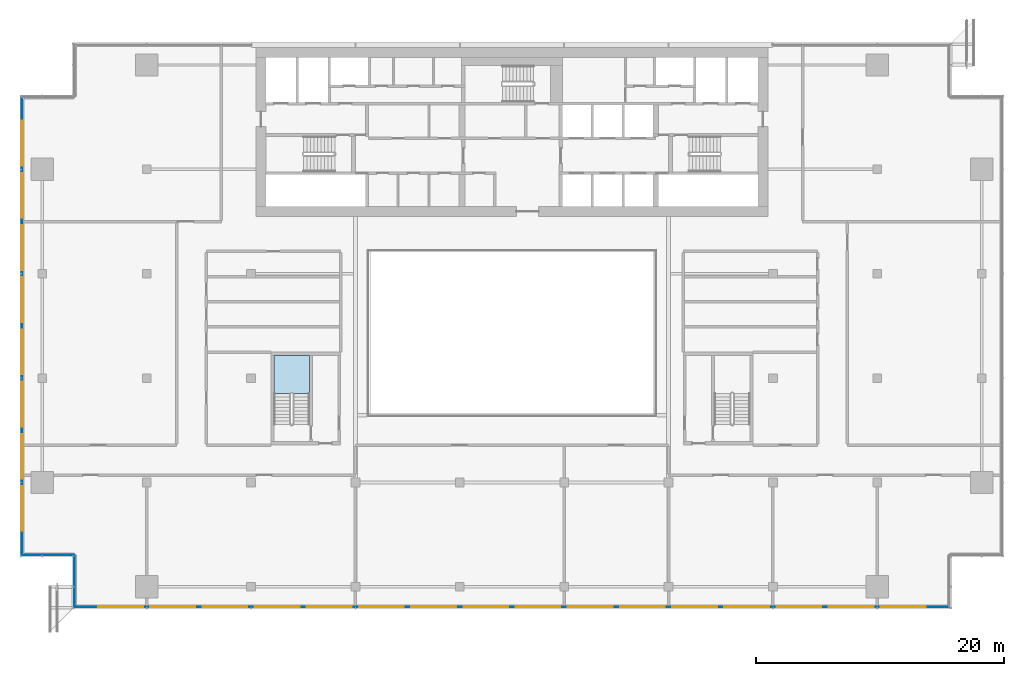
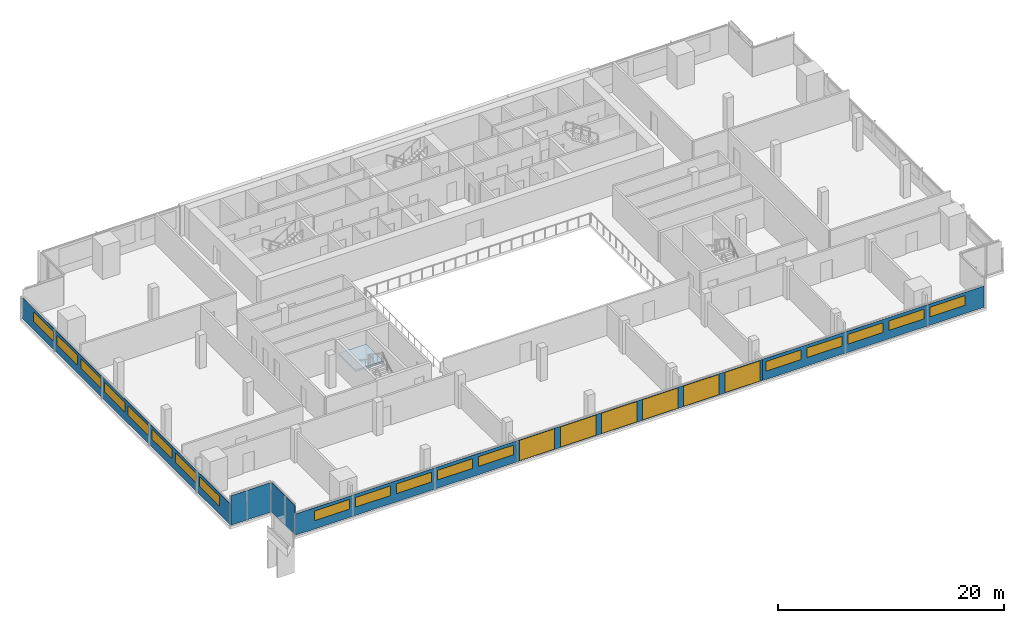
# One storey, part 15 of 24: 24 windows, 6 plates, 1 slab, 24 openings, 5 elements without a shape of their own.
"""IFC4 building model written with IfcOpenShell, lengths in metres."""

from ifc_helpers import new_model, si_unit, direction, frame, frame_2d, origin, place, context, subcontext, project, spatial, polyline, rectangle, outline, extrude, material, layer, layer_set, type_object, element, fill, aggregate, save


model = new_model("IFC4")

# Units and contexts
model_context = context("Model", 3, precision=1e-05, world=origin(), true_north=direction((0.0, 1.0)))
body_context = subcontext(model_context, "Body", "Model", "MODEL_VIEW")
ifc_project = project(units=[si_unit("LENGTHUNIT", "METRE"), si_unit("AREAUNIT", "SQUARE_METRE"), si_unit("VOLUMEUNIT", "CUBIC_METRE"), si_unit("PLANEANGLEUNIT", "RADIAN"), si_unit("MASSUNIT", "GRAM", prefix="KILO")], contexts=[model_context])

# Site, building, storey
site_placement = place(None, origin())
site = spatial("IfcSite", under=ifc_project, at=site_placement, CompositionType="ELEMENT")
building_placement = place(site_placement, origin())
building = spatial("IfcBuilding", under=site, at=building_placement, Name="Saffron Gate Tower", CompositionType="ELEMENT")
storey_placement = place(building_placement, frame((0.0, 0.0, 190.64990234375)))
storey = spatial("IfcBuildingStorey", under=building, at=storey_placement, Name="L47", CompositionType="ELEMENT", Elevation=190.64990234375)

# Curtain wall, plates, openings, windows
ifc_material_1 = material(Name="Aluminium, bronze anodised", Category="aluminium")
curtain_wall_type_1 = type_object("IfcCurtainWallType", Name="CWS1 curtain wall front facade", PredefinedType="NOTDEFINED", material=ifc_material_1)
curtain_wall_1_placement = place(storey_placement, origin())
curtain_wall_1 = element("IfcCurtainWall", 1, at=curtain_wall_1_placement, inside=storey, type_object=curtain_wall_type_1, Name="CWS1 run 1", PredefinedType="NOTDEFINED")
ifc_material_2 = material(Name="Clear low-iron laminated glass", Category="glass")
ifc_layer_1 = layer(ifc_material_2, 0.028076171875)
ifc_layer_set_1 = layer_set([ifc_layer_1], Name="CWS1 clear glass")
plate_type_1 = type_object("IfcPlateType", Name="CWS1 clear glass", PredefinedType="CURTAIN_PANEL", material=ifc_layer_set_1)
plate_1_placement = place(storey_placement, frame((75.030029296875, 30.174072265625, 0.0), z_axis=(0.0, 0.0, 1.0), x_axis=(1.0, 0.0, 0.0)))
plate_1 = element("IfcPlate", 2, at=plate_1_placement, type_object=plate_type_1, Name="CWS1 clear glass panel", PredefinedType="CURTAIN_PANEL", context=body_context, shape_type="SweptSolid", body=[
    extrude(rectangle(XDim=25.139892578125, YDim=0.028076171875, at=frame_2d((12.56982421875, 0.0))), origin(), (0.0, 0.0, 1.0), 2.2900390625),
])
opening_1_placement = place(plate_1_placement, frame((0.27001953125, 0.0, 0.050048828125)))
opening_1 = element("IfcOpeningElement", 3, at=opening_1_placement, cuts=plate_1, Name="Opening WA", PredefinedType="OPENING", context=body_context, shape_type="SweptSolid", body=[
    extrude(rectangle(XDim=3.60009765625, YDim=2.18994140625, at=frame_2d((1.800048828125, 1.094970703125))), frame((0.0, 0.02392578125, 0.0), z_axis=(0.0, -1.0, 0.0), x_axis=(1.0, 0.0, 0.0)), (0.0, 0.0, 1.0), 0.048095703125),
])
opening_2_placement = place(plate_1_placement, frame((4.469970703125, 0.0, 0.050048828125)))
opening_2 = element("IfcOpeningElement", 4, at=opening_2_placement, cuts=plate_1, Name="Opening WA", PredefinedType="OPENING", context=body_context, shape_type="SweptSolid", body=[
    extrude(rectangle(XDim=3.60009765625, YDim=2.18994140625, at=frame_2d((1.800048828125, 1.094970703125))), frame((0.0, 0.02392578125, 0.0), z_axis=(0.0, -1.0, 0.0), x_axis=(1.0, 0.0, 0.0)), (0.0, 0.0, 1.0), 0.048095703125),
])
opening_3_placement = place(plate_1_placement, frame((8.669921875, 0.0, 0.050048828125)))
opening_3 = element("IfcOpeningElement", 5, at=opening_3_placement, cuts=plate_1, Name="Opening WA", PredefinedType="OPENING", context=body_context, shape_type="SweptSolid", body=[
    extrude(rectangle(XDim=3.60009765625, YDim=2.18994140625, at=frame_2d((1.800048828125, 1.094970703125))), frame((0.0, 0.02392578125, 0.0), z_axis=(0.0, -1.0, 0.0), x_axis=(1.0, 0.0, 0.0)), (0.0, 0.0, 1.0), 0.048095703125),
])
opening_4_placement = place(plate_1_placement, frame((12.8701171875, 0.0, 0.050048828125)))
opening_4 = element("IfcOpeningElement", 6, at=opening_4_placement, cuts=plate_1, Name="Opening WA", PredefinedType="OPENING", context=body_context, shape_type="SweptSolid", body=[
    extrude(rectangle(XDim=3.60009765625, YDim=2.18994140625, at=frame_2d((1.800048828125, 1.094970703125))), frame((0.0, 0.02392578125, 0.0), z_axis=(0.0, -1.0, 0.0), x_axis=(1.0, 0.0, 0.0)), (0.0, 0.0, 1.0), 0.048095703125),
])
opening_5_placement = place(plate_1_placement, frame((17.070068359375, 0.0, 0.050048828125)))
opening_5 = element("IfcOpeningElement", 7, at=opening_5_placement, cuts=plate_1, Name="Opening WA", PredefinedType="OPENING", context=body_context, shape_type="SweptSolid", body=[
    extrude(rectangle(XDim=3.60009765625, YDim=2.18994140625, at=frame_2d((1.800048828125, 1.094970703125))), frame((0.0, 0.02392578125, 0.0), z_axis=(0.0, -1.0, 0.0), x_axis=(1.0, 0.0, 0.0)), (0.0, 0.0, 1.0), 0.048095703125),
])
opening_6_placement = place(plate_1_placement, frame((21.27001953125, 0.0, 0.050048828125)))
opening_6 = element("IfcOpeningElement", 8, at=opening_6_placement, cuts=plate_1, Name="Opening WA", PredefinedType="OPENING", context=body_context, shape_type="SweptSolid", body=[
    extrude(rectangle(XDim=3.60009765625, YDim=2.18994140625, at=frame_2d((1.800048828125, 1.094970703125))), frame((0.0, 0.02392578125, 0.0), z_axis=(0.0, -1.0, 0.0), x_axis=(1.0, 0.0, 0.0)), (0.0, 0.0, 1.0), 0.048095703125),
])
ifc_material_3 = material(Name="Clear low-iron laminated glass in bronze frame", Category="glass")
ifc_layer_2 = layer(ifc_material_3, 0.06005859375)
ifc_layer_set_2 = layer_set([ifc_layer_2], Name="WA operable atrium unit 3600x2190")
window_type_1 = type_object("IfcWindowType", Name="WA operable atrium unit 3600x2190", PartitioningType="DOUBLE_PANEL_HORIZONTAL", PredefinedType="WINDOW", material=ifc_layer_set_2)
window_1_placement = place(opening_1_placement, origin())
window_1 = element("IfcWindow", 9, at=window_1_placement, type_object=window_type_1, Name="WA operable atrium unit", OverallHeight=2.18994140625, OverallWidth=3.60009765625, PartitioningType="SINGLE_PANEL", PredefinedType="WINDOW", context=body_context, shape_type="SweptSolid", body=[
    extrude(rectangle(XDim=3.60009765625, YDim=2.18994140625, at=frame_2d((1.800048828125, 1.094970703125))), frame((0.0, 0.013671875, 0.0), z_axis=(0.0, -1.0, 0.0), x_axis=(1.0, 0.0, 0.0)), (0.0, 0.0, 1.0), 0.027587890625),
])
fill(opening_1, window_1)
window_2_placement = place(opening_2_placement, origin())
window_2 = element("IfcWindow", 10, at=window_2_placement, type_object=window_type_1, Name="WA operable atrium unit", OverallHeight=2.18994140625, OverallWidth=3.60009765625, PartitioningType="SINGLE_PANEL", PredefinedType="WINDOW", context=body_context, shape_type="SweptSolid", body=[
    extrude(rectangle(XDim=3.60009765625, YDim=2.18994140625, at=frame_2d((1.800048828125, 1.094970703125))), frame((0.0, 0.013671875, 0.0), z_axis=(0.0, -1.0, 0.0), x_axis=(1.0, 0.0, 0.0)), (0.0, 0.0, 1.0), 0.027587890625),
])
fill(opening_2, window_2)
window_3_placement = place(opening_3_placement, origin())
window_3 = element("IfcWindow", 11, at=window_3_placement, type_object=window_type_1, Name="WA operable atrium unit", OverallHeight=2.18994140625, OverallWidth=3.60009765625, PartitioningType="SINGLE_PANEL", PredefinedType="WINDOW", context=body_context, shape_type="SweptSolid", body=[
    extrude(rectangle(XDim=3.60009765625, YDim=2.18994140625, at=frame_2d((1.800048828125, 1.094970703125))), frame((0.0, 0.013671875, 0.0), z_axis=(0.0, -1.0, 0.0), x_axis=(1.0, 0.0, 0.0)), (0.0, 0.0, 1.0), 0.027587890625),
])
fill(opening_3, window_3)
window_4_placement = place(opening_4_placement, origin())
window_4 = element("IfcWindow", 12, at=window_4_placement, type_object=window_type_1, Name="WA operable atrium unit", OverallHeight=2.18994140625, OverallWidth=3.60009765625, PartitioningType="SINGLE_PANEL", PredefinedType="WINDOW", context=body_context, shape_type="SweptSolid", body=[
    extrude(rectangle(XDim=3.60009765625, YDim=2.18994140625, at=frame_2d((1.800048828125, 1.094970703125))), frame((0.0, 0.013671875, 0.0), z_axis=(0.0, -1.0, 0.0), x_axis=(1.0, 0.0, 0.0)), (0.0, 0.0, 1.0), 0.027587890625),
])
fill(opening_4, window_4)
window_5_placement = place(opening_5_placement, origin())
window_5 = element("IfcWindow", 13, at=window_5_placement, type_object=window_type_1, Name="WA operable atrium unit", OverallHeight=2.18994140625, OverallWidth=3.60009765625, PartitioningType="SINGLE_PANEL", PredefinedType="WINDOW", context=body_context, shape_type="SweptSolid", body=[
    extrude(rectangle(XDim=3.60009765625, YDim=2.18994140625, at=frame_2d((1.800048828125, 1.094970703125))), frame((0.0, 0.013671875, 0.0), z_axis=(0.0, -1.0, 0.0), x_axis=(1.0, 0.0, 0.0)), (0.0, 0.0, 1.0), 0.027587890625),
])
fill(opening_5, window_5)
window_6_placement = place(opening_6_placement, origin())
window_6 = element("IfcWindow", 14, at=window_6_placement, type_object=window_type_1, Name="WA operable atrium unit", OverallHeight=2.18994140625, OverallWidth=3.60009765625, PartitioningType="SINGLE_PANEL", PredefinedType="WINDOW", context=body_context, shape_type="SweptSolid", body=[
    extrude(rectangle(XDim=3.60009765625, YDim=2.18994140625, at=frame_2d((1.800048828125, 1.094970703125))), frame((0.0, 0.013671875, 0.0), z_axis=(0.0, -1.0, 0.0), x_axis=(1.0, 0.0, 0.0)), (0.0, 0.0, 1.0), 0.027587890625),
])
fill(opening_6, window_6)
ifc_material_4 = material(Name="Fritted bronze-tinted laminated glass", Category="glass")
ifc_layer_3 = layer(ifc_material_4, 0.028076171875)
ifc_layer_set_3 = layer_set([ifc_layer_3], Name="CWS1 fixed glass")
plate_type_2 = type_object("IfcPlateType", Name="CWS1 fixed glass", PredefinedType="CURTAIN_PANEL", material=ifc_layer_set_3)
plate_2_placement = place(storey_placement, frame((52.387939453125, 30.174072265625, 0.0), z_axis=(0.0, 0.0, 1.0), x_axis=(1.0, 0.0, 0.0)))
plate_2 = element("IfcPlate", 15, at=plate_2_placement, type_object=plate_type_2, Name="CWS1 glass panel", PredefinedType="CURTAIN_PANEL", context=body_context, shape_type="SweptSolid", body=[
    extrude(rectangle(XDim=22.64208984375, YDim=0.028076171875, at=frame_2d((11.321044921875, 0.0))), origin(), (0.0, 0.0, 1.0), 2.2900390625),
])
opening_7_placement = place(plate_2_placement, frame((1.912109375, 0.0, 0.89990234375)))
opening_7 = element("IfcOpeningElement", 16, at=opening_7_placement, cuts=plate_2, Name="Opening W11", PredefinedType="OPENING", context=body_context, shape_type="SweptSolid", body=[
    extrude(rectangle(XDim=3.60009765625, YDim=1.0400390625, at=frame_2d((1.800048828125, 0.52001953125))), frame((0.0, 0.02392578125, 0.0), z_axis=(0.0, -1.0, 0.0), x_axis=(1.0, 0.0, 0.0)), (0.0, 0.0, 1.0), 0.048095703125),
])
opening_8_placement = place(plate_2_placement, frame((6.112060546875, 0.0, 0.89990234375)))
opening_8 = element("IfcOpeningElement", 17, at=opening_8_placement, cuts=plate_2, Name="Opening W11", PredefinedType="OPENING", context=body_context, shape_type="SweptSolid", body=[
    extrude(rectangle(XDim=3.60009765625, YDim=1.0400390625, at=frame_2d((1.800048828125, 0.52001953125))), frame((0.0, 0.02392578125, 0.0), z_axis=(0.0, -1.0, 0.0), x_axis=(1.0, 0.0, 0.0)), (0.0, 0.0, 1.0), 0.048095703125),
])
opening_9_placement = place(plate_2_placement, frame((10.31201171875, 0.0, 0.89990234375)))
opening_9 = element("IfcOpeningElement", 18, at=opening_9_placement, cuts=plate_2, Name="Opening W11", PredefinedType="OPENING", context=body_context, shape_type="SweptSolid", body=[
    extrude(rectangle(XDim=3.60009765625, YDim=1.0400390625, at=frame_2d((1.800048828125, 0.52001953125))), frame((0.0, 0.02392578125, 0.0), z_axis=(0.0, -1.0, 0.0), x_axis=(1.0, 0.0, 0.0)), (0.0, 0.0, 1.0), 0.048095703125),
])
opening_10_placement = place(plate_2_placement, frame((14.511962890625, 0.0, 0.89990234375)))
opening_10 = element("IfcOpeningElement", 19, at=opening_10_placement, cuts=plate_2, Name="Opening W11", PredefinedType="OPENING", context=body_context, shape_type="SweptSolid", body=[
    extrude(rectangle(XDim=3.60009765625, YDim=1.0400390625, at=frame_2d((1.800048828125, 0.52001953125))), frame((0.0, 0.02392578125, 0.0), z_axis=(0.0, -1.0, 0.0), x_axis=(1.0, 0.0, 0.0)), (0.0, 0.0, 1.0), 0.048095703125),
])
opening_11_placement = place(plate_2_placement, frame((18.7119140625, 0.0, 0.89990234375)))
opening_11 = element("IfcOpeningElement", 20, at=opening_11_placement, cuts=plate_2, Name="Opening W11", PredefinedType="OPENING", context=body_context, shape_type="SweptSolid", body=[
    extrude(rectangle(XDim=3.60009765625, YDim=1.0400390625, at=frame_2d((1.800048828125, 0.52001953125))), frame((0.0, 0.02392578125, 0.0), z_axis=(0.0, -1.0, 0.0), x_axis=(1.0, 0.0, 0.0)), (0.0, 0.0, 1.0), 0.048095703125),
])
ifc_material_5 = material(Name="Fritted bronze-tinted laminated glass in bronze frame", Category="glass")
ifc_layer_4 = layer(ifc_material_5, 0.06005859375)
ifc_layer_set_4 = layer_set([ifc_layer_4], Name="W11 operable panel 3600x1040")
window_type_2 = type_object("IfcWindowType", Name="W11 operable panel 3600x1040", PartitioningType="DOUBLE_PANEL_HORIZONTAL", PredefinedType="WINDOW", material=ifc_layer_set_4)
window_7_placement = place(opening_7_placement, origin())
window_7 = element("IfcWindow", 21, at=window_7_placement, type_object=window_type_2, Name="W11 operable panel", OverallHeight=1.0400390625, OverallWidth=3.60009765625, PartitioningType="SINGLE_PANEL", PredefinedType="WINDOW", context=body_context, shape_type="SweptSolid", body=[
    extrude(rectangle(XDim=3.60009765625, YDim=1.0400390625, at=frame_2d((1.800048828125, 0.52001953125))), frame((0.0, 0.013671875, 0.0), z_axis=(0.0, -1.0, 0.0), x_axis=(1.0, 0.0, 0.0)), (0.0, 0.0, 1.0), 0.027587890625),
])
fill(opening_7, window_7)
window_8_placement = place(opening_8_placement, origin())
window_8 = element("IfcWindow", 22, at=window_8_placement, type_object=window_type_2, Name="W11 operable panel", OverallHeight=1.0400390625, OverallWidth=3.60009765625, PartitioningType="SINGLE_PANEL", PredefinedType="WINDOW", context=body_context, shape_type="SweptSolid", body=[
    extrude(rectangle(XDim=3.60009765625, YDim=1.0400390625, at=frame_2d((1.800048828125, 0.52001953125))), frame((0.0, 0.013671875, 0.0), z_axis=(0.0, -1.0, 0.0), x_axis=(1.0, 0.0, 0.0)), (0.0, 0.0, 1.0), 0.027587890625),
])
fill(opening_8, window_8)
window_9_placement = place(opening_9_placement, origin())
window_9 = element("IfcWindow", 23, at=window_9_placement, type_object=window_type_2, Name="W11 operable panel", OverallHeight=1.0400390625, OverallWidth=3.60009765625, PartitioningType="SINGLE_PANEL", PredefinedType="WINDOW", context=body_context, shape_type="SweptSolid", body=[
    extrude(rectangle(XDim=3.60009765625, YDim=1.0400390625, at=frame_2d((1.800048828125, 0.52001953125))), frame((0.0, 0.013671875, 0.0), z_axis=(0.0, -1.0, 0.0), x_axis=(1.0, 0.0, 0.0)), (0.0, 0.0, 1.0), 0.027587890625),
])
fill(opening_9, window_9)
window_10_placement = place(opening_10_placement, origin())
window_10 = element("IfcWindow", 24, at=window_10_placement, type_object=window_type_2, Name="W11 operable panel", OverallHeight=1.0400390625, OverallWidth=3.60009765625, PartitioningType="SINGLE_PANEL", PredefinedType="WINDOW", context=body_context, shape_type="SweptSolid", body=[
    extrude(rectangle(XDim=3.60009765625, YDim=1.0400390625, at=frame_2d((1.800048828125, 0.52001953125))), frame((0.0, 0.013671875, 0.0), z_axis=(0.0, -1.0, 0.0), x_axis=(1.0, 0.0, 0.0)), (0.0, 0.0, 1.0), 0.027587890625),
])
fill(opening_10, window_10)
window_11_placement = place(opening_11_placement, origin())
window_11 = element("IfcWindow", 25, at=window_11_placement, type_object=window_type_2, Name="W11 operable panel", OverallHeight=1.0400390625, OverallWidth=3.60009765625, PartitioningType="SINGLE_PANEL", PredefinedType="WINDOW", context=body_context, shape_type="SweptSolid", body=[
    extrude(rectangle(XDim=3.60009765625, YDim=1.0400390625, at=frame_2d((1.800048828125, 0.52001953125))), frame((0.0, 0.013671875, 0.0), z_axis=(0.0, -1.0, 0.0), x_axis=(1.0, 0.0, 0.0)), (0.0, 0.0, 1.0), 0.027587890625),
])
fill(opening_11, window_11)
plate_3_placement = place(storey_placement, frame((100.169921875, 30.174072265625, 0.0), z_axis=(0.0, 0.0, 1.0), x_axis=(1.0, 0.0, 0.0)))
plate_3 = element("IfcPlate", 26, at=plate_3_placement, type_object=plate_type_2, Name="CWS1 glass panel", PredefinedType="CURTAIN_PANEL", context=body_context, shape_type="SweptSolid", body=[
    extrude(rectangle(XDim=22.64208984375, YDim=0.028076171875, at=frame_2d((11.321044921875, 0.0))), origin(), (0.0, 0.0, 1.0), 2.2900390625),
])
opening_12_placement = place(plate_3_placement, frame((0.330078125, 0.0, 0.89990234375)))
opening_12 = element("IfcOpeningElement", 27, at=opening_12_placement, cuts=plate_3, Name="Opening W11", PredefinedType="OPENING", context=body_context, shape_type="SweptSolid", body=[
    extrude(rectangle(XDim=3.60009765625, YDim=1.0400390625, at=frame_2d((1.800048828125, 0.52001953125))), frame((0.0, 0.02392578125, 0.0), z_axis=(0.0, -1.0, 0.0), x_axis=(1.0, 0.0, 0.0)), (0.0, 0.0, 1.0), 0.048095703125),
])
opening_13_placement = place(plate_3_placement, frame((4.530029296875, 0.0, 0.89990234375)))
opening_13 = element("IfcOpeningElement", 28, at=opening_13_placement, cuts=plate_3, Name="Opening W11", PredefinedType="OPENING", context=body_context, shape_type="SweptSolid", body=[
    extrude(rectangle(XDim=3.60009765625, YDim=1.0400390625, at=frame_2d((1.800048828125, 0.52001953125))), frame((0.0, 0.02392578125, 0.0), z_axis=(0.0, -1.0, 0.0), x_axis=(1.0, 0.0, 0.0)), (0.0, 0.0, 1.0), 0.048095703125),
])
opening_14_placement = place(plate_3_placement, frame((8.72998046875, 0.0, 0.89990234375)))
opening_14 = element("IfcOpeningElement", 29, at=opening_14_placement, cuts=plate_3, Name="Opening W11", PredefinedType="OPENING", context=body_context, shape_type="SweptSolid", body=[
    extrude(rectangle(XDim=3.60009765625, YDim=1.0400390625, at=frame_2d((1.800048828125, 0.52001953125))), frame((0.0, 0.02392578125, 0.0), z_axis=(0.0, -1.0, 0.0), x_axis=(1.0, 0.0, 0.0)), (0.0, 0.0, 1.0), 0.048095703125),
])
opening_15_placement = place(plate_3_placement, frame((12.929931640625, 0.0, 0.89990234375)))
opening_15 = element("IfcOpeningElement", 30, at=opening_15_placement, cuts=plate_3, Name="Opening W11", PredefinedType="OPENING", context=body_context, shape_type="SweptSolid", body=[
    extrude(rectangle(XDim=3.60009765625, YDim=1.0400390625, at=frame_2d((1.800048828125, 0.52001953125))), frame((0.0, 0.02392578125, 0.0), z_axis=(0.0, -1.0, 0.0), x_axis=(1.0, 0.0, 0.0)), (0.0, 0.0, 1.0), 0.048095703125),
])
opening_16_placement = place(plate_3_placement, frame((17.1298828125, 0.0, 0.89990234375)))
opening_16 = element("IfcOpeningElement", 31, at=opening_16_placement, cuts=plate_3, Name="Opening W11", PredefinedType="OPENING", context=body_context, shape_type="SweptSolid", body=[
    extrude(rectangle(XDim=3.60009765625, YDim=1.0400390625, at=frame_2d((1.800048828125, 0.52001953125))), frame((0.0, 0.02392578125, 0.0), z_axis=(0.0, -1.0, 0.0), x_axis=(1.0, 0.0, 0.0)), (0.0, 0.0, 1.0), 0.048095703125),
])
window_12_placement = place(opening_12_placement, origin())
window_12 = element("IfcWindow", 32, at=window_12_placement, type_object=window_type_2, Name="W11 operable panel", OverallHeight=1.0400390625, OverallWidth=3.60009765625, PartitioningType="SINGLE_PANEL", PredefinedType="WINDOW", context=body_context, shape_type="SweptSolid", body=[
    extrude(rectangle(XDim=3.60009765625, YDim=1.0400390625, at=frame_2d((1.800048828125, 0.52001953125))), frame((0.0, 0.013671875, 0.0), z_axis=(0.0, -1.0, 0.0), x_axis=(1.0, 0.0, 0.0)), (0.0, 0.0, 1.0), 0.027587890625),
])
fill(opening_12, window_12)
window_13_placement = place(opening_13_placement, origin())
window_13 = element("IfcWindow", 33, at=window_13_placement, type_object=window_type_2, Name="W11 operable panel", OverallHeight=1.0400390625, OverallWidth=3.60009765625, PartitioningType="SINGLE_PANEL", PredefinedType="WINDOW", context=body_context, shape_type="SweptSolid", body=[
    extrude(rectangle(XDim=3.60009765625, YDim=1.0400390625, at=frame_2d((1.800048828125, 0.52001953125))), frame((0.0, 0.013671875, 0.0), z_axis=(0.0, -1.0, 0.0), x_axis=(1.0, 0.0, 0.0)), (0.0, 0.0, 1.0), 0.027587890625),
])
fill(opening_13, window_13)
window_14_placement = place(opening_14_placement, origin())
window_14 = element("IfcWindow", 34, at=window_14_placement, type_object=window_type_2, Name="W11 operable panel", OverallHeight=1.0400390625, OverallWidth=3.60009765625, PartitioningType="SINGLE_PANEL", PredefinedType="WINDOW", context=body_context, shape_type="SweptSolid", body=[
    extrude(rectangle(XDim=3.60009765625, YDim=1.0400390625, at=frame_2d((1.800048828125, 0.52001953125))), frame((0.0, 0.013671875, 0.0), z_axis=(0.0, -1.0, 0.0), x_axis=(1.0, 0.0, 0.0)), (0.0, 0.0, 1.0), 0.027587890625),
])
fill(opening_14, window_14)
window_15_placement = place(opening_15_placement, origin())
window_15 = element("IfcWindow", 35, at=window_15_placement, type_object=window_type_2, Name="W11 operable panel", OverallHeight=1.0400390625, OverallWidth=3.60009765625, PartitioningType="SINGLE_PANEL", PredefinedType="WINDOW", context=body_context, shape_type="SweptSolid", body=[
    extrude(rectangle(XDim=3.60009765625, YDim=1.0400390625, at=frame_2d((1.800048828125, 0.52001953125))), frame((0.0, 0.013671875, 0.0), z_axis=(0.0, -1.0, 0.0), x_axis=(1.0, 0.0, 0.0)), (0.0, 0.0, 1.0), 0.027587890625),
])
fill(opening_15, window_15)
window_16_placement = place(opening_16_placement, origin())
window_16 = element("IfcWindow", 36, at=window_16_placement, type_object=window_type_2, Name="W11 operable panel", OverallHeight=1.0400390625, OverallWidth=3.60009765625, PartitioningType="SINGLE_PANEL", PredefinedType="WINDOW", context=body_context, shape_type="SweptSolid", body=[
    extrude(rectangle(XDim=3.60009765625, YDim=1.0400390625, at=frame_2d((1.800048828125, 0.52001953125))), frame((0.0, 0.013671875, 0.0), z_axis=(0.0, -1.0, 0.0), x_axis=(1.0, 0.0, 0.0)), (0.0, 0.0, 1.0), 0.027587890625),
])
fill(opening_16, window_16)
aggregate(curtain_wall_1, [plate_2, plate_3, plate_1, window_7, window_8, window_9, window_10, window_11, window_12, window_13, window_14, window_15, window_16, window_1, window_2, window_3, window_4, window_5, window_6])

# Curtain wall, plate, openings, windows
curtain_wall_type_2 = type_object("IfcCurtainWallType", Name="CWS2 curtain wall side facades", PredefinedType="NOTDEFINED", material=ifc_material_1)
curtain_wall_2_placement = place(storey_placement, origin())
curtain_wall_2 = element("IfcCurtainWall", 37, at=curtain_wall_2_placement, inside=storey, type_object=curtain_wall_type_2, Name="CWS2 run 10", PredefinedType="NOTDEFINED")
ifc_layer_5 = layer(ifc_material_4, 0.028076171875)
ifc_layer_set_5 = layer_set([ifc_layer_5], Name="CWS2 fixed glass")
plate_type_3 = type_object("IfcPlateType", Name="CWS2 fixed glass", PredefinedType="CURTAIN_PANEL", material=ifc_layer_set_5)
plate_4_placement = place(storey_placement, frame((48.174072265625, 71.2119140625, 0.0), z_axis=(0.0, 0.0, 1.0), x_axis=(0.0, -1.0, 0.0)))
plate_4 = element("IfcPlate", 38, at=plate_4_placement, type_object=plate_type_3, Name="CWS2 glass panel", PredefinedType="CURTAIN_PANEL", context=body_context, shape_type="SweptSolid", body=[
    extrude(rectangle(XDim=36.823974609375, YDim=0.028076171875, at=frame_2d((18.412109375, 0.0))), origin(), (0.0, 0.0, 1.0), 2.2900390625),
])
opening_17_placement = place(plate_4_placement, frame((1.912109375, 0.0, 0.89990234375)))
opening_17 = element("IfcOpeningElement", 39, at=opening_17_placement, cuts=plate_4, Name="Opening W11", PredefinedType="OPENING", context=body_context, shape_type="SweptSolid", body=[
    extrude(rectangle(XDim=3.60009765625, YDim=1.0400390625, at=frame_2d((1.800048828125, 0.52001953125))), frame((0.0, 0.02392578125, 0.0), z_axis=(0.0, -1.0, 0.0), x_axis=(1.0, 0.0, 0.0)), (0.0, 0.0, 1.0), 0.048095703125),
])
opening_18_placement = place(plate_4_placement, frame((6.112060546875, 0.0, 0.89990234375)))
opening_18 = element("IfcOpeningElement", 40, at=opening_18_placement, cuts=plate_4, Name="Opening W11", PredefinedType="OPENING", context=body_context, shape_type="SweptSolid", body=[
    extrude(rectangle(XDim=3.60009765625, YDim=1.0400390625, at=frame_2d((1.800048828125, 0.52001953125))), frame((0.0, 0.02392578125, 0.0), z_axis=(0.0, -1.0, 0.0), x_axis=(1.0, 0.0, 0.0)), (0.0, 0.0, 1.0), 0.048095703125),
])
opening_19_placement = place(plate_4_placement, frame((10.31201171875, 0.0, 0.89990234375)))
opening_19 = element("IfcOpeningElement", 41, at=opening_19_placement, cuts=plate_4, Name="Opening W11", PredefinedType="OPENING", context=body_context, shape_type="SweptSolid", body=[
    extrude(rectangle(XDim=3.60009765625, YDim=1.0400390625, at=frame_2d((1.800048828125, 0.52001953125))), frame((0.0, 0.02392578125, 0.0), z_axis=(0.0, -1.0, 0.0), x_axis=(1.0, 0.0, 0.0)), (0.0, 0.0, 1.0), 0.048095703125),
])
opening_20_placement = place(plate_4_placement, frame((14.511962890625, 0.0, 0.89990234375)))
opening_20 = element("IfcOpeningElement", 42, at=opening_20_placement, cuts=plate_4, Name="Opening W11", PredefinedType="OPENING", context=body_context, shape_type="SweptSolid", body=[
    extrude(rectangle(XDim=3.60009765625, YDim=1.0400390625, at=frame_2d((1.800048828125, 0.52001953125))), frame((0.0, 0.02392578125, 0.0), z_axis=(0.0, -1.0, 0.0), x_axis=(1.0, 0.0, 0.0)), (0.0, 0.0, 1.0), 0.048095703125),
])
opening_21_placement = place(plate_4_placement, frame((18.7119140625, 0.0, 0.89990234375)))
opening_21 = element("IfcOpeningElement", 43, at=opening_21_placement, cuts=plate_4, Name="Opening W11", PredefinedType="OPENING", context=body_context, shape_type="SweptSolid", body=[
    extrude(rectangle(XDim=3.60009765625, YDim=1.0400390625, at=frame_2d((1.800048828125, 0.52001953125))), frame((0.0, 0.02392578125, 0.0), z_axis=(0.0, -1.0, 0.0), x_axis=(1.0, 0.0, 0.0)), (0.0, 0.0, 1.0), 0.048095703125),
])
opening_22_placement = place(plate_4_placement, frame((22.912109375, 0.0, 0.89990234375)))
opening_22 = element("IfcOpeningElement", 44, at=opening_22_placement, cuts=plate_4, Name="Opening W11", PredefinedType="OPENING", context=body_context, shape_type="SweptSolid", body=[
    extrude(rectangle(XDim=3.60009765625, YDim=1.0400390625, at=frame_2d((1.800048828125, 0.52001953125))), frame((0.0, 0.02392578125, 0.0), z_axis=(0.0, -1.0, 0.0), x_axis=(1.0, 0.0, 0.0)), (0.0, 0.0, 1.0), 0.048095703125),
])
opening_23_placement = place(plate_4_placement, frame((27.112060546875, 0.0, 0.89990234375)))
opening_23 = element("IfcOpeningElement", 45, at=opening_23_placement, cuts=plate_4, Name="Opening W11", PredefinedType="OPENING", context=body_context, shape_type="SweptSolid", body=[
    extrude(rectangle(XDim=3.60009765625, YDim=1.0400390625, at=frame_2d((1.800048828125, 0.52001953125))), frame((0.0, 0.02392578125, 0.0), z_axis=(0.0, -1.0, 0.0), x_axis=(1.0, 0.0, 0.0)), (0.0, 0.0, 1.0), 0.048095703125),
])
opening_24_placement = place(plate_4_placement, frame((31.31201171875, 0.0, 0.89990234375)))
opening_24 = element("IfcOpeningElement", 46, at=opening_24_placement, cuts=plate_4, Name="Opening W11", PredefinedType="OPENING", context=body_context, shape_type="SweptSolid", body=[
    extrude(rectangle(XDim=3.60009765625, YDim=1.0400390625, at=frame_2d((1.800048828125, 0.52001953125))), frame((0.0, 0.02392578125, 0.0), z_axis=(0.0, -1.0, 0.0), x_axis=(1.0, 0.0, 0.0)), (0.0, 0.0, 1.0), 0.048095703125),
])
window_17_placement = place(opening_17_placement, origin())
window_17 = element("IfcWindow", 47, at=window_17_placement, type_object=window_type_2, Name="W11 operable panel", OverallHeight=1.0400390625, OverallWidth=3.60009765625, PartitioningType="SINGLE_PANEL", PredefinedType="WINDOW", context=body_context, shape_type="SweptSolid", body=[
    extrude(rectangle(XDim=3.60009765625, YDim=1.0400390625, at=frame_2d((1.800048828125, 0.52001953125))), frame((0.0, 0.013671875, 0.0), z_axis=(0.0, -1.0, 0.0), x_axis=(1.0, 0.0, 0.0)), (0.0, 0.0, 1.0), 0.027587890625),
])
fill(opening_17, window_17)
window_18_placement = place(opening_18_placement, origin())
window_18 = element("IfcWindow", 48, at=window_18_placement, type_object=window_type_2, Name="W11 operable panel", OverallHeight=1.0400390625, OverallWidth=3.60009765625, PartitioningType="SINGLE_PANEL", PredefinedType="WINDOW", context=body_context, shape_type="SweptSolid", body=[
    extrude(rectangle(XDim=3.60009765625, YDim=1.0400390625, at=frame_2d((1.800048828125, 0.52001953125))), frame((0.0, 0.013671875, 0.0), z_axis=(0.0, -1.0, 0.0), x_axis=(1.0, 0.0, 0.0)), (0.0, 0.0, 1.0), 0.027587890625),
])
fill(opening_18, window_18)
window_19_placement = place(opening_19_placement, origin())
window_19 = element("IfcWindow", 49, at=window_19_placement, type_object=window_type_2, Name="W11 operable panel", OverallHeight=1.0400390625, OverallWidth=3.60009765625, PartitioningType="SINGLE_PANEL", PredefinedType="WINDOW", context=body_context, shape_type="SweptSolid", body=[
    extrude(rectangle(XDim=3.60009765625, YDim=1.0400390625, at=frame_2d((1.800048828125, 0.52001953125))), frame((0.0, 0.013671875, 0.0), z_axis=(0.0, -1.0, 0.0), x_axis=(1.0, 0.0, 0.0)), (0.0, 0.0, 1.0), 0.027587890625),
])
fill(opening_19, window_19)
window_20_placement = place(opening_20_placement, origin())
window_20 = element("IfcWindow", 50, at=window_20_placement, type_object=window_type_2, Name="W11 operable panel", OverallHeight=1.0400390625, OverallWidth=3.60009765625, PartitioningType="SINGLE_PANEL", PredefinedType="WINDOW", context=body_context, shape_type="SweptSolid", body=[
    extrude(rectangle(XDim=3.60009765625, YDim=1.0400390625, at=frame_2d((1.800048828125, 0.52001953125))), frame((0.0, 0.013671875, 0.0), z_axis=(0.0, -1.0, 0.0), x_axis=(1.0, 0.0, 0.0)), (0.0, 0.0, 1.0), 0.027587890625),
])
fill(opening_20, window_20)
window_21_placement = place(opening_21_placement, origin())
window_21 = element("IfcWindow", 51, at=window_21_placement, type_object=window_type_2, Name="W11 operable panel", OverallHeight=1.0400390625, OverallWidth=3.60009765625, PartitioningType="SINGLE_PANEL", PredefinedType="WINDOW", context=body_context, shape_type="SweptSolid", body=[
    extrude(rectangle(XDim=3.60009765625, YDim=1.0400390625, at=frame_2d((1.800048828125, 0.52001953125))), frame((0.0, 0.013671875, 0.0), z_axis=(0.0, -1.0, 0.0), x_axis=(1.0, 0.0, 0.0)), (0.0, 0.0, 1.0), 0.027587890625),
])
fill(opening_21, window_21)
window_22_placement = place(opening_22_placement, origin())
window_22 = element("IfcWindow", 52, at=window_22_placement, type_object=window_type_2, Name="W11 operable panel", OverallHeight=1.0400390625, OverallWidth=3.60009765625, PartitioningType="SINGLE_PANEL", PredefinedType="WINDOW", context=body_context, shape_type="SweptSolid", body=[
    extrude(rectangle(XDim=3.60009765625, YDim=1.0400390625, at=frame_2d((1.800048828125, 0.52001953125))), frame((0.0, 0.013671875, 0.0), z_axis=(0.0, -1.0, 0.0), x_axis=(1.0, 0.0, 0.0)), (0.0, 0.0, 1.0), 0.027587890625),
])
fill(opening_22, window_22)
window_23_placement = place(opening_23_placement, origin())
window_23 = element("IfcWindow", 53, at=window_23_placement, type_object=window_type_2, Name="W11 operable panel", OverallHeight=1.0400390625, OverallWidth=3.60009765625, PartitioningType="SINGLE_PANEL", PredefinedType="WINDOW", context=body_context, shape_type="SweptSolid", body=[
    extrude(rectangle(XDim=3.60009765625, YDim=1.0400390625, at=frame_2d((1.800048828125, 0.52001953125))), frame((0.0, 0.013671875, 0.0), z_axis=(0.0, -1.0, 0.0), x_axis=(1.0, 0.0, 0.0)), (0.0, 0.0, 1.0), 0.027587890625),
])
fill(opening_23, window_23)
window_24_placement = place(opening_24_placement, origin())
window_24 = element("IfcWindow", 54, at=window_24_placement, type_object=window_type_2, Name="W11 operable panel", OverallHeight=1.0400390625, OverallWidth=3.60009765625, PartitioningType="SINGLE_PANEL", PredefinedType="WINDOW", context=body_context, shape_type="SweptSolid", body=[
    extrude(rectangle(XDim=3.60009765625, YDim=1.0400390625, at=frame_2d((1.800048828125, 0.52001953125))), frame((0.0, 0.013671875, 0.0), z_axis=(0.0, -1.0, 0.0), x_axis=(1.0, 0.0, 0.0)), (0.0, 0.0, 1.0), 0.027587890625),
])
fill(opening_24, window_24)
aggregate(curtain_wall_2, [plate_4, window_17, window_18, window_19, window_20, window_21, window_22, window_23, window_24])

# Curtain wall, plate
curtain_wall_type_3 = type_object("IfcCurtainWallType", Name="CWS4 curtain wall corner returns", PredefinedType="NOTDEFINED", material=ifc_material_1)
curtain_wall_3_placement = place(storey_placement, origin())
curtain_wall_3 = element("IfcCurtainWall", 55, at=curtain_wall_3_placement, inside=storey, type_object=curtain_wall_type_3, Name="CWS4 run 11", PredefinedType="NOTDEFINED")
ifc_layer_6 = layer(ifc_material_4, 0.028076171875)
ifc_layer_set_6 = layer_set([ifc_layer_6], Name="CWS4 fixed glass")
plate_type_4 = type_object("IfcPlateType", Name="CWS4 fixed glass", PredefinedType="CURTAIN_PANEL", material=ifc_layer_set_6)
plate_5_placement = place(storey_placement, frame((48.18798828125, 34.3740234375, 0.0), z_axis=(0.0, 0.0, 1.0), x_axis=(1.0, 0.0, 0.0)))
plate_5 = element("IfcPlate", 56, at=plate_5_placement, type_object=plate_type_4, Name="CWS4 glass panel", PredefinedType="CURTAIN_PANEL", context=body_context, shape_type="SweptSolid", body=[
    extrude(rectangle(XDim=4.172119140625, YDim=0.028076171875, at=frame_2d((2.0859375, 0.0))), origin(), (0.0, 0.0, 1.0), 3.18017578125),
])
aggregate(curtain_wall_3, [plate_5])

curtain_wall_4_placement = place(storey_placement, origin())
curtain_wall_4 = element("IfcCurtainWall", 57, at=curtain_wall_4_placement, inside=storey, type_object=curtain_wall_type_3, Name="CWS4 run 12", PredefinedType="NOTDEFINED")
plate_6_placement = place(storey_placement, frame((52.3740234375, 34.360107421875, 0.0), z_axis=(0.0, 0.0, 1.0), x_axis=(0.0, -1.0, 0.0)))
plate_6 = element("IfcPlate", 58, at=plate_6_placement, type_object=plate_type_4, Name="CWS4 glass panel", PredefinedType="CURTAIN_PANEL", context=body_context, shape_type="SweptSolid", body=[
    extrude(rectangle(XDim=4.172119140625, YDim=0.028076171875, at=frame_2d((2.0859375, 0.0))), origin(), (0.0, 0.0, 1.0), 3.18017578125),
])
aggregate(curtain_wall_4, [plate_6])

# Stair, slab
ifc_material_6 = material(Name="Concrete C40", Category="concrete")
stair_type = type_object("IfcStairType", Name="ST7 Stair 1350 wide, 20 risers of 180", PredefinedType="HALF_TURN_STAIR", material=ifc_material_6)
stair_placement = place(storey_placement, origin())
stair = element("IfcStair", 59, at=stair_placement, inside=storey, type_object=stair_type, Name="L47 Exit stair D", PredefinedType="HALF_TURN_STAIR")
ifc_layer_7 = layer(ifc_material_6, 0.199951171875)
ifc_layer_set_7 = layer_set([ifc_layer_7], Name="SL1 Stair landing 200")
slab_type = type_object("IfcSlabType", Name="SL1 Stair landing 200", PredefinedType="LANDING", material=ifc_layer_set_7)
slab_placement = place(storey_placement, frame((0.0, 0.0, 1.60009765625)))
slab = element("IfcSlab", 60, at=slab_placement, type_object=slab_type, Name="ST-D landing 1", PredefinedType="LANDING", context=body_context, shape_type="SweptSolid", body=[
    extrude(outline(polyline([(71.300048828125, 47.3701171875), (71.300048828125, 50.39990234375), (68.449951171875, 50.39990234375), (68.449951171875, 47.3701171875), (71.300048828125, 47.3701171875)])), origin(), (0.0, 0.0, 1.0), 0.199951171875),
])
aggregate(stair, [slab])

save(model, "model.ifc")
